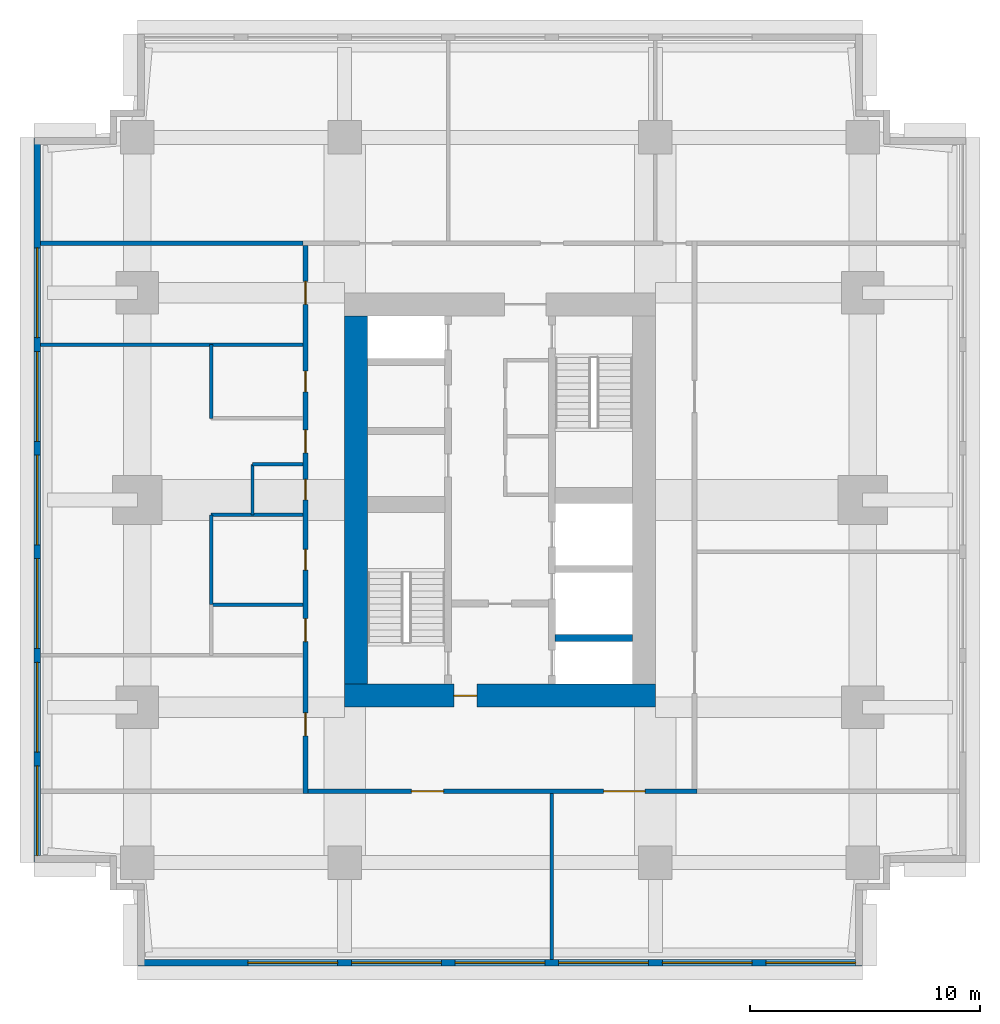
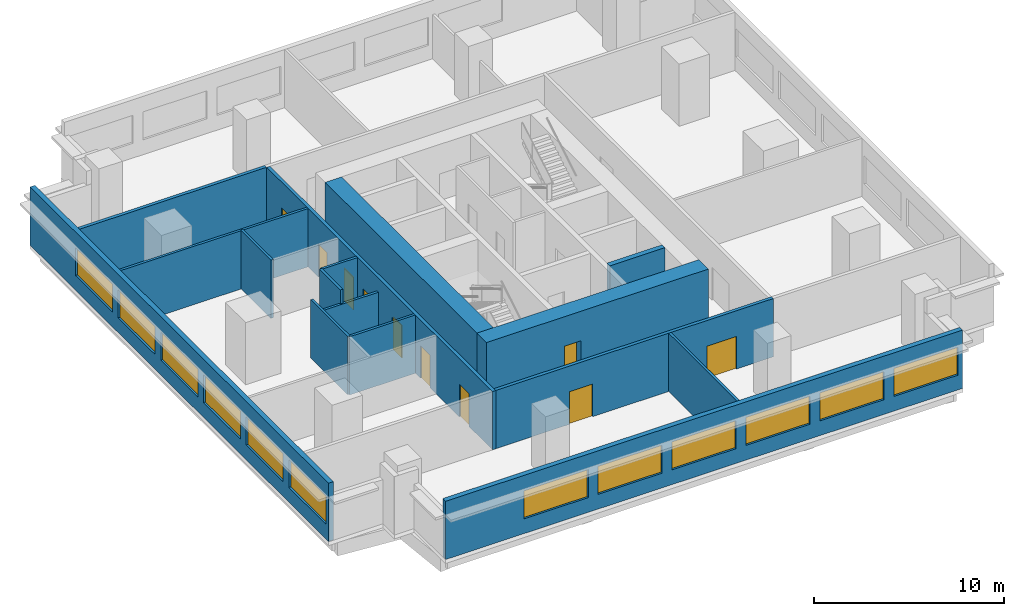
# One storey, part 2 of 5: 16 walls, 12 windows, 10 doors, 22 openings.
"""IFC4 building model written with IfcOpenShell, lengths in metres."""

import ifcopenshell
import ifcopenshell.guid

model = None  # the IFC model being written
_history = None  # IfcOwnerHistory: only IFC2X3 demands one
_inside = {}  # id of a spatial element -> (the spatial element, [elements in it])
_under = {}  # id of a project, library or spatial element -> (it, [spatial elements below it])
_declared = {}  # id of a project -> (the project, [libraries it declares])
_typed = {}  # id of a type object -> (the type object, [elements of that type])
_made_of = {}  # id of a material, layer set ... -> (it, [elements and type objects made of it])


def new_model(schema):
    """Start an empty IFC model of exactly this schema.

    Asked for "IFC4X3", IfcOpenShell would pick the latest addendum, in which some entities
    have other attributes; the version numbers below select the first issue.
    IFC2X3 requires an IfcOwnerHistory on every rooted entity: one is made here for all.
    """
    global model, _history
    if schema == "IFC4X3":
        model = ifcopenshell.file(schema_version=(4, 3, 0, 0))
    else:
        model = ifcopenshell.file(schema=schema)
    _inside.clear()
    _under.clear()
    _declared.clear()
    _typed.clear()
    _made_of.clear()
    _history = None
    if model.schema == "IFC2X3":
        org = make("IfcOrganization", Name="unknown")
        user = make(
            "IfcPersonAndOrganization",
            ThePerson=make("IfcPerson", FamilyName="unknown"),
            TheOrganization=org,
        )
        app = make(
            "IfcApplication",
            ApplicationDeveloper=org,
            Version="unknown",
            ApplicationFullName="unknown",
            ApplicationIdentifier="unknown",
        )
        _history = make(
            "IfcOwnerHistory",
            OwningUser=user,
            OwningApplication=app,
            ChangeAction="ADDED",
            CreationDate=0,
        )
    return model


def make(cls, **values):
    """One entity of the class cls with the attributes given. An attribute that is None is left unset."""
    return model.create_entity(
        cls, **{name: value for name, value in values.items() if value is not None}
    )


def rooted(cls, **values):
    """An entity with a GlobalId (a new one), such as an element, a storey or a relation."""
    return make(cls, GlobalId=ifcopenshell.guid.new(), OwnerHistory=_history, **values)


def si_unit(unit_type, name, prefix=None):
    """IfcSIUnit, for example si_unit("LENGTHUNIT", "METRE", prefix="MILLI")."""
    return make("IfcSIUnit", UnitType=unit_type, Prefix=prefix, Name=name)


def assignment(units):
    """IfcUnitAssignment: the units of a project."""
    return None if units is None else make("IfcUnitAssignment", Units=units)


def point(xyz):
    """IfcCartesianPoint."""
    return None if xyz is None else make("IfcCartesianPoint", Coordinates=xyz)


def direction(xyz):
    """IfcDirection."""
    return None if xyz is None else make("IfcDirection", DirectionRatios=xyz)


def frame(location, z_axis=None, x_axis=None):
    """IfcAxis2Placement3D, a coordinate frame: its origin and axes. An axis left out is left unset."""
    return make(
        "IfcAxis2Placement3D",
        Location=point(location),
        Axis=direction(z_axis),
        RefDirection=direction(x_axis),
    )


def frame_2d(location, x_axis=None):
    """IfcAxis2Placement2D, a coordinate frame in the plane: its origin and x axis."""
    return make(
        "IfcAxis2Placement2D", Location=point(location), RefDirection=direction(x_axis)
    )


def origin():
    """The frame at (0, 0, 0) with its axes left unset."""
    return frame((0.0, 0.0, 0.0))


def place(relative_to, where):
    """IfcLocalPlacement: puts the frame where relative to a parent placement (None: the world)."""
    return make(
        "IfcLocalPlacement", PlacementRelTo=relative_to, RelativePlacement=where
    )


def context(
    kind, dimensions, precision=None, world=None, true_north=None, identifier=None
):
    """IfcGeometricRepresentationContext, for example the 3D "Model" context."""
    return make(
        "IfcGeometricRepresentationContext",
        ContextIdentifier=identifier,
        ContextType=kind,
        CoordinateSpaceDimension=dimensions,
        Precision=precision,
        WorldCoordinateSystem=world,
        TrueNorth=true_north,
    )


def subcontext(parent, identifier, kind, view, scale=None):
    """IfcGeometricRepresentationSubContext, for example "Body" below "Model"."""
    return make(
        "IfcGeometricRepresentationSubContext",
        ContextIdentifier=identifier,
        ContextType=kind,
        ParentContext=parent,
        TargetScale=scale,
        TargetView=view,
    )


def project(units=None, contexts=None):
    """IfcProject with its units and contexts."""
    return rooted(
        "IfcProject",
        Name="project",
        RepresentationContexts=contexts,
        UnitsInContext=assignment(units),
    )


def spatial(cls, under=None, at=None, **own):
    """A site, building, storey or space (cls), placed at a placement, below another one or the project."""
    s = rooted(cls, ObjectPlacement=at, **own)
    if under is not None:
        _under.setdefault(under.id(), (under, []))[1].append(s)
    return s


def profile(cls, at=None, kind="AREA", **sizes):
    """A parametric profile (cls). Its sizes go by their IFC names, for example OverallWidth=200.0."""
    return make(cls, ProfileType=kind, Position=at, **sizes)


def rectangle(**sizes):
    """IfcRectangleProfileDef."""
    return profile("IfcRectangleProfileDef", **sizes)


def extrude(swept, where, along, depth):
    """IfcExtrudedAreaSolid: the profile swept, set in the frame where, extruded along a direction by depth."""
    return make(
        "IfcExtrudedAreaSolid",
        SweptArea=swept,
        Position=where,
        ExtrudedDirection=direction(along),
        Depth=depth,
    )


def shape(context_of_items, identifier, shape_type, items):
    """IfcShapeRepresentation: the items that make up one representation, for example the "Body"."""
    return make(
        "IfcShapeRepresentation",
        ContextOfItems=context_of_items,
        RepresentationIdentifier=identifier,
        RepresentationType=shape_type,
        Items=items,
    )


def material(Name=None, Category=None):
    """IfcMaterial."""
    return make("IfcMaterial", Name=Name, Category=Category)


def layer(
    of_material, thickness, ventilated=None, Name=None, Category=None, Priority=None
):
    """IfcMaterialLayer: one layer of a wall or slab, of a material (None: an air gap)."""
    return make(
        "IfcMaterialLayer",
        Material=of_material,
        LayerThickness=thickness,
        IsVentilated=ventilated,
        Name=Name,
        Category=Category,
        Priority=Priority,
    )


def layer_set(layers, Name=None):
    """IfcMaterialLayerSet."""
    return make("IfcMaterialLayerSet", MaterialLayers=layers, LayerSetName=Name)


def made_of(thing, what):
    """Note that an element or type object is made of a material, layer set ...; save() writes the relation."""
    if what is not None:
        _made_of.setdefault(what.id(), (what, []))[1].append(thing)
    return thing


def type_object(cls, material=None, **own):
    """A type object (cls), such as IfcWallType, which elements share."""
    return made_of(rooted(cls, **own), material)


def element(
    cls,
    number,
    at=None,
    inside=None,
    cuts=None,
    type_object=None,
    material=None,
    context=None,
    identifier="Body",
    shape_type=None,
    held_by="IfcProductDefinitionShape",
    body=None,
    shapes=None,
    **own,
):
    """One element of the class cls, such as IfcWall. Its Tag is "e" and its number.

    at: its placement. inside: the storey or other place that contains it. cuts: it is an
    opening in that element (IfcRelVoidsElement). A single representation is given by context,
    identifier, shape_type and body (its items); several are given by shapes. held_by: the class
    of the entity that holds the representations. save() writes the other relations.
    """
    e = rooted(cls, Tag="e%d" % number, ObjectPlacement=at, **own)
    if body is not None:
        shapes = [shape(context, identifier, shape_type, body)]
    if shapes is not None:
        e.Representation = make(held_by, Representations=shapes)
    if inside is not None:
        _inside.setdefault(inside.id(), (inside, []))[1].append(e)
    if cuts is not None:
        rooted(
            "IfcRelVoidsElement", RelatingBuildingElement=cuts, RelatedOpeningElement=e
        )
    if type_object is not None:
        _typed.setdefault(type_object.id(), (type_object, []))[1].append(e)
    return made_of(e, material)


def fill(opening, filler):
    """IfcRelFillsElement: the door or window that sits in an opening."""
    return rooted(
        "IfcRelFillsElement",
        RelatingOpeningElement=opening,
        RelatedBuildingElement=filler,
    )


def aggregate(whole, parts):
    """IfcRelAggregates: a whole, such as a stair, and the parts it consists of."""
    return rooted("IfcRelAggregates", RelatingObject=whole, RelatedObjects=parts)


def save(model, path):
    """Write the relations noted so far, then the file.

    IfcRelAggregates (storeys below a building ...), IfcRelContainedInSpatialStructure (elements
    in a storey), IfcRelDefinesByType, IfcRelAssociatesMaterial and IfcRelDeclares: one each for
    every whole, place, type object, material and project.
    """
    for whole, parts in _under.values():
        aggregate(whole, parts)
    for where, things in _inside.values():
        rooted(
            "IfcRelContainedInSpatialStructure",
            RelatedElements=things,
            RelatingStructure=where,
        )
    for kind, things in _typed.values():
        rooted("IfcRelDefinesByType", RelatedObjects=things, RelatingType=kind)
    for what, things in _made_of.values():
        rooted("IfcRelAssociatesMaterial", RelatedObjects=things, RelatingMaterial=what)
    for by, libraries in _declared.values():
        rooted("IfcRelDeclares", RelatingContext=by, RelatedDefinitions=libraries)
    model.write(path)


model = new_model("IFC4")

# Units and contexts
model_context = context("Model", 3, precision=1e-05, world=origin(), true_north=direction((0.0, 1.0)))
body_context = subcontext(model_context, "Body", "Model", "MODEL_VIEW")
ifc_project = project(units=[si_unit("LENGTHUNIT", "METRE"), si_unit("AREAUNIT", "SQUARE_METRE"), si_unit("VOLUMEUNIT", "CUBIC_METRE"), si_unit("PLANEANGLEUNIT", "RADIAN"), si_unit("MASSUNIT", "GRAM", prefix="KILO")], contexts=[model_context])

# Site, building, storey
site_placement = place(None, origin())
site = spatial("IfcSite", under=ifc_project, at=site_placement, CompositionType="ELEMENT")
building_placement = place(site_placement, origin())
building = spatial("IfcBuilding", under=site, at=building_placement, Name="Namib Vertical Campus", CompositionType="ELEMENT")
storey_placement = place(building_placement, frame((0.0, 0.0, 265.0)))
storey = spatial("IfcBuildingStorey", under=building, at=storey_placement, Name="L62", CompositionType="ELEMENT", Elevation=265.0)

# Wall
ifc_material_1 = material(Name="Concrete C60/75", Category="concrete")
ifc_layer_1 = layer(ifc_material_1, 0.300048828125)
ifc_layer_set_1 = layer_set([ifc_layer_1], Name="Concrete C60/75")
wall_type_1 = type_object("IfcWallType", Name="Core inner wall 300", PredefinedType="SHEAR", material=ifc_layer_set_1)
wall_1_placement = place(storey_placement, frame((22.64990234375, 14.25, 0.0), z_axis=(0.0, 0.0, 1.0), x_axis=(1.0, 0.0, 0.0)))
element("IfcWall", 1, at=wall_1_placement, inside=storey, type_object=wall_type_1, Name="Core inner wall A L62 W5", PredefinedType="SHEAR", context=body_context, shape_type="SweptSolid", body=[
    extrude(rectangle(XDim=3.35009765625, YDim=0.300048828125, at=frame_2d((1.675048828125, 0.0))), origin(), (0.0, 0.0, 1.0), 4.0),
])

# Wall, opening, door
ifc_material_2 = material(Name="Concrete C60/75", Category="concrete")
ifc_layer_2 = layer(ifc_material_2, 1.0)
ifc_layer_set_2 = layer_set([ifc_layer_2], Name="Concrete C60/75")
wall_type_2 = type_object("IfcWallType", Name="Core wall 1000", PredefinedType="SHEAR", material=ifc_layer_set_2)
wall_2_placement = place(storey_placement, frame((13.5, 11.75, 0.0), z_axis=(0.0, 0.0, 1.0), x_axis=(1.0, 0.0, 0.0)))
wall_2 = element("IfcWall", 2, at=wall_2_placement, inside=storey, type_object=wall_type_2, Name="Core wall A L62 1", PredefinedType="SHEAR", context=body_context, shape_type="SweptSolid", body=[
    extrude(rectangle(XDim=13.5, YDim=1.0, at=frame_2d((6.75, 0.0))), origin(), (0.0, 0.0, 1.0), 4.0),
])
opening_1_placement = place(wall_2_placement, frame((4.75, 0.0, 0.0)))
opening_1 = element("IfcOpeningElement", 3, at=opening_1_placement, cuts=wall_2, Name="Opening FD5", PredefinedType="OPENING", context=body_context, shape_type="SweptSolid", body=[
    extrude(rectangle(XDim=1.0, YDim=2.10009765625, at=frame_2d((0.5, 1.050048828125))), frame((0.0, 0.510009765625, 0.0), z_axis=(0.0, -1.0, 0.0), x_axis=(1.0, 0.0, 0.0)), (0.0, 0.0, 1.0), 1.02001953125),
])
ifc_material_3 = material(Name="Steel fire door", Category="steel")
door_type_1 = type_object("IfcDoorType", Name="Fire door 1000x2100 120 min", OperationType="SINGLE_SWING_RIGHT", PredefinedType="DOOR", material=ifc_material_3)
door_1_placement = place(opening_1_placement, origin())
door_1 = element("IfcDoor", 4, at=door_1_placement, inside=storey, type_object=door_type_1, Name="Firefighting lobby door FD5 A L62", OperationType="SINGLE_SWING_LEFT", OverallHeight=2.10009765625, OverallWidth=1.0, PredefinedType="DOOR", context=body_context, shape_type="SweptSolid", body=[
    extrude(rectangle(XDim=1.0, YDim=2.10009765625, at=frame_2d((0.5, 1.050048828125))), frame((0.0, 0.02490234375, 0.0), z_axis=(0.0, -1.0, 0.0), x_axis=(1.0, 0.0, 0.0)), (0.0, 0.0, 1.0), 0.050048828125),
])
fill(opening_1, door_1)

# Wall
wall_3_placement = place(storey_placement, frame((14.0, 28.25, 0.0), z_axis=(0.0, 0.0, 1.0), x_axis=(0.0, -1.0, 0.0)))
element("IfcWall", 5, at=wall_3_placement, inside=storey, type_object=wall_type_2, Name="Core wall A L62 4", PredefinedType="SHEAR", context=body_context, shape_type="SweptSolid", body=[
    extrude(rectangle(XDim=16.0, YDim=1.0, at=frame_2d((8.0, 0.0))), origin(), (0.0, 0.0, 1.0), 4.0),
])

# Wall, openings, doors
ifc_material_4 = material(Name="Concrete masonry", Category="masonry")
ifc_layer_3 = layer(ifc_material_4, 0.199951171875)
ifc_layer_set_3 = layer_set([ifc_layer_3], Name="Corridor wall 200")
wall_type_3 = type_object("IfcWallType", Name="Corridor wall 200", PredefinedType="SOLIDWALL", material=ifc_layer_set_3)
wall_4_placement = place(storey_placement, frame((11.89990234375, 7.60009765625, 0.0), z_axis=(0.0, 0.0, 1.0), x_axis=(1.0, 0.0, 0.0)))
wall_4 = element("IfcWall", 6, at=wall_4_placement, inside=storey, type_object=wall_type_3, Name="Corridor wall A L62 CS", PredefinedType="SOLIDWALL", context=body_context, shape_type="SweptSolid", body=[
    extrude(rectangle(XDim=16.900146484375, YDim=0.199951171875, at=frame_2d((8.4501953125, 0.0))), origin(), (0.0, 0.0, 1.0), 3.75),
])
opening_2_placement = place(wall_4_placement, frame((4.5, 0.0, 0.0)))
opening_2 = element("IfcOpeningElement", 7, at=opening_2_placement, cuts=wall_4, Name="Opening LB1", PredefinedType="OPENING", context=body_context, shape_type="SweptSolid", body=[
    extrude(rectangle(XDim=1.39990234375, YDim=2.10009765625, at=frame_2d((0.699951171875, 1.050048828125))), frame((0.0, 0.10986328125, 0.0), z_axis=(0.0, -1.0, 0.0), x_axis=(1.0, 0.0, 0.0)), (0.0, 0.0, 1.0), 0.219970703125),
])
opening_3_placement = place(wall_4_placement, frame((12.85009765625, 0.0, 0.0)))
opening_3 = element("IfcOpeningElement", 8, at=opening_3_placement, cuts=wall_4, Name="Opening CD2", PredefinedType="OPENING", context=body_context, shape_type="SweptSolid", body=[
    extrude(rectangle(XDim=1.800048828125, YDim=2.10009765625, at=frame_2d((0.89990234375, 1.050048828125))), frame((0.0, 0.10986328125, 0.0), z_axis=(0.0, -1.0, 0.0), x_axis=(1.0, 0.0, 0.0)), (0.0, 0.0, 1.0), 0.219970703125),
])
ifc_material_5 = material(Name="Timber fire door leaf", Category="wood")
door_type_2 = type_object("IfcDoorType", Name="Corridor door double 1800x2100 20 min", OperationType="DOUBLE_DOOR_SINGLE_SWING", PredefinedType="DOOR", material=ifc_material_5)
door_2_placement = place(opening_3_placement, frame((1.800048828125, 0.0, 0.0), z_axis=(0.0, 0.0, 1.0), x_axis=(-1.0, 0.0, 0.0)))
door_2 = element("IfcDoor", 9, at=door_2_placement, inside=storey, type_object=door_type_2, Name="Door CD2 A62-02", OperationType="DOUBLE_DOOR_SINGLE_SWING", OverallHeight=2.10009765625, OverallWidth=1.800048828125, PredefinedType="DOOR", context=body_context, shape_type="SweptSolid", body=[
    extrude(rectangle(XDim=1.800048828125, YDim=2.10009765625, at=frame_2d((0.89990234375, 1.050048828125))), frame((0.0, 0.02490234375, 0.0), z_axis=(0.0, -1.0, 0.0), x_axis=(1.0, 0.0, 0.0)), (0.0, 0.0, 1.0), 0.050048828125),
])
fill(opening_3, door_2)
ifc_material_6 = material(Name="Timber fire door leaf", Category="wood")
door_type_3 = type_object("IfcDoorType", Name="Laboratory door 1400x2100 leaf and a half", OperationType="DOUBLE_DOOR_SINGLE_SWING", PredefinedType="DOOR", material=ifc_material_6)
door_3_placement = place(opening_2_placement, frame((1.39990234375, 0.0, 0.0), z_axis=(0.0, 0.0, 1.0), x_axis=(-1.0, 0.0, 0.0)))
door_3 = element("IfcDoor", 10, at=door_3_placement, inside=storey, type_object=door_type_3, Name="Door LB1 A62-01", OperationType="DOUBLE_DOOR_SINGLE_SWING", OverallHeight=2.10009765625, OverallWidth=1.39990234375, PredefinedType="DOOR", context=body_context, shape_type="SweptSolid", body=[
    extrude(rectangle(XDim=1.39990234375, YDim=2.10009765625, at=frame_2d((0.699951171875, 1.050048828125))), frame((0.0, 0.02490234375, 0.0), z_axis=(0.0, -1.0, 0.0), x_axis=(1.0, 0.0, 0.0)), (0.0, 0.0, 1.0), 0.050048828125),
])
fill(opening_2, door_3)

wall_5_placement = place(storey_placement, frame((11.800048828125, 31.300048828125, 0.0), z_axis=(0.0, 0.0, 1.0), x_axis=(0.0, -1.0, 0.0)))
wall_5 = element("IfcWall", 11, at=wall_5_placement, inside=storey, type_object=wall_type_3, Name="Corridor wall A L62 CW", PredefinedType="SOLIDWALL", context=body_context, shape_type="SweptSolid", body=[
    extrude(rectangle(XDim=23.800048828125, YDim=0.199951171875, at=frame_2d((11.89990234375, 0.0))), origin(), (0.0, 0.0, 1.0), 3.75),
])
opening_4_placement = place(wall_5_placement, frame((20.300048828125, 0.0, 0.0)))
opening_4 = element("IfcOpeningElement", 12, at=opening_4_placement, cuts=wall_5, Name="Opening CD1", PredefinedType="OPENING", context=body_context, shape_type="SweptSolid", body=[
    extrude(rectangle(XDim=1.0, YDim=2.10009765625, at=frame_2d((0.5, 1.050048828125))), frame((0.0, 0.10986328125, 0.0), z_axis=(0.0, -1.0, 0.0), x_axis=(1.0, 0.0, 0.0)), (0.0, 0.0, 1.0), 0.219970703125),
])
opening_5_placement = place(wall_5_placement, frame((16.199951171875, 0.0, 0.0)))
opening_5 = element("IfcOpeningElement", 13, at=opening_5_placement, cuts=wall_5, Name="Opening CD1", PredefinedType="OPENING", context=body_context, shape_type="SweptSolid", body=[
    extrude(rectangle(XDim=1.0, YDim=2.10009765625, at=frame_2d((0.5, 1.050048828125))), frame((0.0, 0.10986328125, 0.0), z_axis=(0.0, -1.0, 0.0), x_axis=(1.0, 0.0, 0.0)), (0.0, 0.0, 1.0), 0.219970703125),
])
opening_6_placement = place(wall_5_placement, frame((13.199951171875, 0.0, 0.0)))
opening_6 = element("IfcOpeningElement", 14, at=opening_6_placement, cuts=wall_5, Name="Opening CD3", PredefinedType="OPENING", context=body_context, shape_type="SweptSolid", body=[
    extrude(rectangle(XDim=0.89990234375, YDim=2.10009765625, at=frame_2d((0.449951171875, 1.050048828125))), frame((0.0, 0.10986328125, 0.0), z_axis=(0.0, -1.0, 0.0), x_axis=(1.0, 0.0, 0.0)), (0.0, 0.0, 1.0), 0.219970703125),
])
opening_7_placement = place(wall_5_placement, frame((10.14990234375, 0.0, 0.0)))
opening_7 = element("IfcOpeningElement", 15, at=opening_7_placement, cuts=wall_5, Name="Opening CD3", PredefinedType="OPENING", context=body_context, shape_type="SweptSolid", body=[
    extrude(rectangle(XDim=0.89990234375, YDim=2.10009765625, at=frame_2d((0.449951171875, 1.050048828125))), frame((0.0, 0.10986328125, 0.0), z_axis=(0.0, -1.0, 0.0), x_axis=(1.0, 0.0, 0.0)), (0.0, 0.0, 1.0), 0.219970703125),
])
opening_8_placement = place(wall_5_placement, frame((5.449951171875, 0.0, 0.0)))
opening_8 = element("IfcOpeningElement", 16, at=opening_8_placement, cuts=wall_5, Name="Opening CD3", PredefinedType="OPENING", context=body_context, shape_type="SweptSolid", body=[
    extrude(rectangle(XDim=0.89990234375, YDim=2.10009765625, at=frame_2d((0.449951171875, 1.050048828125))), frame((0.0, 0.10986328125, 0.0), z_axis=(0.0, -1.0, 0.0), x_axis=(1.0, 0.0, 0.0)), (0.0, 0.0, 1.0), 0.219970703125),
])
opening_9_placement = place(wall_5_placement, frame((8.0, 0.0, 0.0)))
opening_9 = element("IfcOpeningElement", 17, at=opening_9_placement, cuts=wall_5, Name="Opening CD1", PredefinedType="OPENING", context=body_context, shape_type="SweptSolid", body=[
    extrude(rectangle(XDim=1.0, YDim=2.10009765625, at=frame_2d((0.5, 1.050048828125))), frame((0.0, 0.10986328125, 0.0), z_axis=(0.0, -1.0, 0.0), x_axis=(1.0, 0.0, 0.0)), (0.0, 0.0, 1.0), 0.219970703125),
])
opening_10_placement = place(wall_5_placement, frame((1.550048828125, 0.0, 0.0)))
opening_10 = element("IfcOpeningElement", 18, at=opening_10_placement, cuts=wall_5, Name="Opening CD1", PredefinedType="OPENING", context=body_context, shape_type="SweptSolid", body=[
    extrude(rectangle(XDim=1.0, YDim=2.10009765625, at=frame_2d((0.5, 1.050048828125))), frame((0.0, 0.10986328125, 0.0), z_axis=(0.0, -1.0, 0.0), x_axis=(1.0, 0.0, 0.0)), (0.0, 0.0, 1.0), 0.219970703125),
])
ifc_material_7 = material(Name="Timber fire door leaf", Category="wood")
door_type_4 = type_object("IfcDoorType", Name="Corridor door 1000x2100 20 min", OperationType="SINGLE_SWING_LEFT", PredefinedType="DOOR", material=ifc_material_7)
door_4_placement = place(opening_4_placement, frame((1.0, 0.0, 0.0), z_axis=(0.0, 0.0, 1.0), x_axis=(-1.0, 0.0, 0.0)))
door_4 = element("IfcDoor", 19, at=door_4_placement, inside=storey, type_object=door_type_4, Name="Door CD1 A62-08", OperationType="SINGLE_SWING_RIGHT", OverallHeight=2.10009765625, OverallWidth=1.0, PredefinedType="DOOR", context=body_context, shape_type="SweptSolid", body=[
    extrude(rectangle(XDim=1.0, YDim=2.10009765625, at=frame_2d((0.5, 1.050048828125))), frame((0.0, 0.02490234375, 0.0), z_axis=(0.0, -1.0, 0.0), x_axis=(1.0, 0.0, 0.0)), (0.0, 0.0, 1.0), 0.050048828125),
])
fill(opening_4, door_4)
door_5_placement = place(opening_5_placement, frame((1.0, 0.0, 0.0), z_axis=(0.0, 0.0, 1.0), x_axis=(-1.0, 0.0, 0.0)))
door_5 = element("IfcDoor", 20, at=door_5_placement, inside=storey, type_object=door_type_4, Name="Door CD1 A62-09", OperationType="SINGLE_SWING_RIGHT", OverallHeight=2.10009765625, OverallWidth=1.0, PredefinedType="DOOR", context=body_context, shape_type="SweptSolid", body=[
    extrude(rectangle(XDim=1.0, YDim=2.10009765625, at=frame_2d((0.5, 1.050048828125))), frame((0.0, 0.02490234375, 0.0), z_axis=(0.0, -1.0, 0.0), x_axis=(1.0, 0.0, 0.0)), (0.0, 0.0, 1.0), 0.050048828125),
])
fill(opening_5, door_5)
door_6_placement = place(opening_9_placement, frame((1.0, 0.0, 0.0), z_axis=(0.0, 0.0, 1.0), x_axis=(-1.0, 0.0, 0.0)))
door_6 = element("IfcDoor", 21, at=door_6_placement, inside=storey, type_object=door_type_4, Name="Door CD1 A62-13", OperationType="SINGLE_SWING_RIGHT", OverallHeight=2.10009765625, OverallWidth=1.0, PredefinedType="DOOR", context=body_context, shape_type="SweptSolid", body=[
    extrude(rectangle(XDim=1.0, YDim=2.10009765625, at=frame_2d((0.5, 1.050048828125))), frame((0.0, 0.02490234375, 0.0), z_axis=(0.0, -1.0, 0.0), x_axis=(1.0, 0.0, 0.0)), (0.0, 0.0, 1.0), 0.050048828125),
])
fill(opening_9, door_6)
door_7_placement = place(opening_10_placement, frame((1.0, 0.0, 0.0), z_axis=(0.0, 0.0, 1.0), x_axis=(-1.0, 0.0, 0.0)))
door_7 = element("IfcDoor", 22, at=door_7_placement, inside=storey, type_object=door_type_4, Name="Door CD1 A62-14", OperationType="SINGLE_SWING_RIGHT", OverallHeight=2.10009765625, OverallWidth=1.0, PredefinedType="DOOR", context=body_context, shape_type="SweptSolid", body=[
    extrude(rectangle(XDim=1.0, YDim=2.10009765625, at=frame_2d((0.5, 1.050048828125))), frame((0.0, 0.02490234375, 0.0), z_axis=(0.0, -1.0, 0.0), x_axis=(1.0, 0.0, 0.0)), (0.0, 0.0, 1.0), 0.050048828125),
])
fill(opening_10, door_7)
ifc_material_8 = material(Name="Timber fire door leaf", Category="wood")
door_type_5 = type_object("IfcDoorType", Name="Corridor toilet door 900x2100 20 min", OperationType="SINGLE_SWING_LEFT", PredefinedType="DOOR", material=ifc_material_8)
door_8_placement = place(opening_6_placement, frame((0.89990234375, 0.0, 0.0), z_axis=(0.0, 0.0, 1.0), x_axis=(-1.0, 0.0, 0.0)))
door_8 = element("IfcDoor", 23, at=door_8_placement, inside=storey, type_object=door_type_5, Name="Door CD3 A62-10", OperationType="SINGLE_SWING_RIGHT", OverallHeight=2.10009765625, OverallWidth=0.89990234375, PredefinedType="DOOR", context=body_context, shape_type="SweptSolid", body=[
    extrude(rectangle(XDim=0.89990234375, YDim=2.10009765625, at=frame_2d((0.449951171875, 1.050048828125))), frame((0.0, 0.02490234375, 0.0), z_axis=(0.0, -1.0, 0.0), x_axis=(1.0, 0.0, 0.0)), (0.0, 0.0, 1.0), 0.050048828125),
])
fill(opening_6, door_8)
door_9_placement = place(opening_7_placement, frame((0.89990234375, 0.0, 0.0), z_axis=(0.0, 0.0, 1.0), x_axis=(-1.0, 0.0, 0.0)))
door_9 = element("IfcDoor", 24, at=door_9_placement, inside=storey, type_object=door_type_5, Name="Door CD3 A62-11", OperationType="SINGLE_SWING_RIGHT", OverallHeight=2.10009765625, OverallWidth=0.89990234375, PredefinedType="DOOR", context=body_context, shape_type="SweptSolid", body=[
    extrude(rectangle(XDim=0.89990234375, YDim=2.10009765625, at=frame_2d((0.449951171875, 1.050048828125))), frame((0.0, 0.02490234375, 0.0), z_axis=(0.0, -1.0, 0.0), x_axis=(1.0, 0.0, 0.0)), (0.0, 0.0, 1.0), 0.050048828125),
])
fill(opening_7, door_9)
door_10_placement = place(opening_8_placement, frame((0.89990234375, 0.0, 0.0), z_axis=(0.0, 0.0, 1.0), x_axis=(-1.0, 0.0, 0.0)))
door_10 = element("IfcDoor", 25, at=door_10_placement, inside=storey, type_object=door_type_5, Name="Door CD3 A62-12", OperationType="SINGLE_SWING_RIGHT", OverallHeight=2.10009765625, OverallWidth=0.89990234375, PredefinedType="DOOR", context=body_context, shape_type="SweptSolid", body=[
    extrude(rectangle(XDim=0.89990234375, YDim=2.10009765625, at=frame_2d((0.449951171875, 1.050048828125))), frame((0.0, 0.02490234375, 0.0), z_axis=(0.0, -1.0, 0.0), x_axis=(1.0, 0.0, 0.0)), (0.0, 0.0, 1.0), 0.050048828125),
])
fill(opening_8, door_10)

# Wall
wall_6_placement = place(storey_placement, frame((0.300048828125, 31.39990234375, 0.0), z_axis=(0.0, 0.0, 1.0), x_axis=(1.0, 0.0, 0.0)))
element("IfcWall", 26, at=wall_6_placement, inside=storey, type_object=wall_type_3, Name="Partition A L62 BNW", PredefinedType="SOLIDWALL", context=body_context, shape_type="SweptSolid", body=[
    extrude(rectangle(XDim=11.39990234375, YDim=0.199951171875, at=frame_2d((5.699951171875, 0.0))), origin(), (0.0, 0.0, 1.0), 3.75),
])

# Wall, openings, windows
ifc_material_9 = material(Name="Concrete C40/50", Category="concrete")
ifc_layer_4 = layer(ifc_material_9, 0.300048828125)
ifc_layer_set_4 = layer_set([ifc_layer_4], Name="Concrete C40/50")
wall_type_4 = type_object("IfcWallType", Name="External wall 300 board-marked concrete", PredefinedType="STANDARD", material=ifc_layer_set_4)
wall_7_placement = place(storey_placement, frame((4.52001953125, 0.14990234375, 0.0), z_axis=(0.0, 0.0, 1.0), x_axis=(1.0, 0.0, 0.0)))
wall_7 = element("IfcWall", 27, at=wall_7_placement, inside=storey, type_object=wall_type_4, Name="External wall L62 F01", PredefinedType="STANDARD", context=body_context, shape_type="SweptSolid", body=[
    extrude(rectangle(XDim=31.4599609375, YDim=0.300048828125, at=frame_2d((15.72998046875, 0.0))), origin(), (0.0, 0.0, 1.0), 3.75),
])
opening_11_placement = place(wall_7_placement, frame((4.780029296875, 0.0, 0.949951171875)))
opening_11 = element("IfcOpeningElement", 28, at=opening_11_placement, cuts=wall_7, Name="Opening W3", PredefinedType="OPENING", context=body_context, shape_type="SweptSolid", body=[
    extrude(rectangle(XDim=3.89990234375, YDim=1.800048828125, at=frame_2d((1.949951171875, 0.89990234375))), frame((0.0, 0.159912109375, 0.0), z_axis=(0.0, -1.0, 0.0), x_axis=(1.0, 0.0, 0.0)), (0.0, 0.0, 1.0), 0.320068359375),
])
opening_12_placement = place(wall_7_placement, frame((9.280029296875, 0.0, 0.949951171875)))
opening_12 = element("IfcOpeningElement", 29, at=opening_12_placement, cuts=wall_7, Name="Opening W3", PredefinedType="OPENING", context=body_context, shape_type="SweptSolid", body=[
    extrude(rectangle(XDim=3.89990234375, YDim=1.800048828125, at=frame_2d((1.949951171875, 0.89990234375))), frame((0.0, 0.159912109375, 0.0), z_axis=(0.0, -1.0, 0.0), x_axis=(1.0, 0.0, 0.0)), (0.0, 0.0, 1.0), 0.320068359375),
])
opening_13_placement = place(wall_7_placement, frame((13.780029296875, 0.0, 0.949951171875)))
opening_13 = element("IfcOpeningElement", 30, at=opening_13_placement, cuts=wall_7, Name="Opening W3", PredefinedType="OPENING", context=body_context, shape_type="SweptSolid", body=[
    extrude(rectangle(XDim=3.89990234375, YDim=1.800048828125, at=frame_2d((1.949951171875, 0.89990234375))), frame((0.0, 0.159912109375, 0.0), z_axis=(0.0, -1.0, 0.0), x_axis=(1.0, 0.0, 0.0)), (0.0, 0.0, 1.0), 0.320068359375),
])
opening_14_placement = place(wall_7_placement, frame((18.280029296875, 0.0, 0.949951171875)))
opening_14 = element("IfcOpeningElement", 31, at=opening_14_placement, cuts=wall_7, Name="Opening W3", PredefinedType="OPENING", context=body_context, shape_type="SweptSolid", body=[
    extrude(rectangle(XDim=3.89990234375, YDim=1.800048828125, at=frame_2d((1.949951171875, 0.89990234375))), frame((0.0, 0.159912109375, 0.0), z_axis=(0.0, -1.0, 0.0), x_axis=(1.0, 0.0, 0.0)), (0.0, 0.0, 1.0), 0.320068359375),
])
opening_15_placement = place(wall_7_placement, frame((22.780029296875, 0.0, 0.949951171875)))
opening_15 = element("IfcOpeningElement", 32, at=opening_15_placement, cuts=wall_7, Name="Opening W3", PredefinedType="OPENING", context=body_context, shape_type="SweptSolid", body=[
    extrude(rectangle(XDim=3.89990234375, YDim=1.800048828125, at=frame_2d((1.949951171875, 0.89990234375))), frame((0.0, 0.159912109375, 0.0), z_axis=(0.0, -1.0, 0.0), x_axis=(1.0, 0.0, 0.0)), (0.0, 0.0, 1.0), 0.320068359375),
])
opening_16_placement = place(wall_7_placement, frame((27.280029296875, 0.0, 0.949951171875)))
opening_16 = element("IfcOpeningElement", 33, at=opening_16_placement, cuts=wall_7, Name="Opening W3", PredefinedType="OPENING", context=body_context, shape_type="SweptSolid", body=[
    extrude(rectangle(XDim=3.89990234375, YDim=1.800048828125, at=frame_2d((1.949951171875, 0.89990234375))), frame((0.0, 0.159912109375, 0.0), z_axis=(0.0, -1.0, 0.0), x_axis=(1.0, 0.0, 0.0)), (0.0, 0.0, 1.0), 0.320068359375),
])
ifc_material_10 = material(Name="Dark tinted glass in black aluminium frame", Category="aluminium")
window_type = type_object("IfcWindowType", Name="Ribbon window 3900x1800", PartitioningType="SINGLE_PANEL", PredefinedType="WINDOW", material=ifc_material_10)
window_1_placement = place(opening_11_placement, origin())
window_1 = element("IfcWindow", 34, at=window_1_placement, inside=storey, type_object=window_type, Name="Window W3 L62 F01-2", OverallHeight=1.800048828125, OverallWidth=3.89990234375, PartitioningType="SINGLE_PANEL", PredefinedType="WINDOW", context=body_context, shape_type="SweptSolid", body=[
    extrude(rectangle(XDim=3.89990234375, YDim=1.800048828125, at=frame_2d((1.949951171875, 0.89990234375))), frame((0.0, 0.030029296875, 0.0), z_axis=(0.0, -1.0, 0.0), x_axis=(1.0, 0.0, 0.0)), (0.0, 0.0, 1.0), 0.06005859375),
])
fill(opening_11, window_1)
window_2_placement = place(opening_12_placement, origin())
window_2 = element("IfcWindow", 35, at=window_2_placement, inside=storey, type_object=window_type, Name="Window W3 L62 F01-3", OverallHeight=1.800048828125, OverallWidth=3.89990234375, PartitioningType="SINGLE_PANEL", PredefinedType="WINDOW", context=body_context, shape_type="SweptSolid", body=[
    extrude(rectangle(XDim=3.89990234375, YDim=1.800048828125, at=frame_2d((1.949951171875, 0.89990234375))), frame((0.0, 0.030029296875, 0.0), z_axis=(0.0, -1.0, 0.0), x_axis=(1.0, 0.0, 0.0)), (0.0, 0.0, 1.0), 0.06005859375),
])
fill(opening_12, window_2)
window_3_placement = place(opening_13_placement, origin())
window_3 = element("IfcWindow", 36, at=window_3_placement, inside=storey, type_object=window_type, Name="Window W3 L62 F01-4", OverallHeight=1.800048828125, OverallWidth=3.89990234375, PartitioningType="SINGLE_PANEL", PredefinedType="WINDOW", context=body_context, shape_type="SweptSolid", body=[
    extrude(rectangle(XDim=3.89990234375, YDim=1.800048828125, at=frame_2d((1.949951171875, 0.89990234375))), frame((0.0, 0.030029296875, 0.0), z_axis=(0.0, -1.0, 0.0), x_axis=(1.0, 0.0, 0.0)), (0.0, 0.0, 1.0), 0.06005859375),
])
fill(opening_13, window_3)
window_4_placement = place(opening_14_placement, origin())
window_4 = element("IfcWindow", 37, at=window_4_placement, inside=storey, type_object=window_type, Name="Window W3 L62 F01-5", OverallHeight=1.800048828125, OverallWidth=3.89990234375, PartitioningType="SINGLE_PANEL", PredefinedType="WINDOW", context=body_context, shape_type="SweptSolid", body=[
    extrude(rectangle(XDim=3.89990234375, YDim=1.800048828125, at=frame_2d((1.949951171875, 0.89990234375))), frame((0.0, 0.030029296875, 0.0), z_axis=(0.0, -1.0, 0.0), x_axis=(1.0, 0.0, 0.0)), (0.0, 0.0, 1.0), 0.06005859375),
])
fill(opening_14, window_4)
window_5_placement = place(opening_15_placement, origin())
window_5 = element("IfcWindow", 38, at=window_5_placement, inside=storey, type_object=window_type, Name="Window W3 L62 F01-6", OverallHeight=1.800048828125, OverallWidth=3.89990234375, PartitioningType="SINGLE_PANEL", PredefinedType="WINDOW", context=body_context, shape_type="SweptSolid", body=[
    extrude(rectangle(XDim=3.89990234375, YDim=1.800048828125, at=frame_2d((1.949951171875, 0.89990234375))), frame((0.0, 0.030029296875, 0.0), z_axis=(0.0, -1.0, 0.0), x_axis=(1.0, 0.0, 0.0)), (0.0, 0.0, 1.0), 0.06005859375),
])
fill(opening_15, window_5)
window_6_placement = place(opening_16_placement, origin())
window_6 = element("IfcWindow", 39, at=window_6_placement, inside=storey, type_object=window_type, Name="Window W3 L62 F01-7", OverallHeight=1.800048828125, OverallWidth=3.89990234375, PartitioningType="SINGLE_PANEL", PredefinedType="WINDOW", context=body_context, shape_type="SweptSolid", body=[
    extrude(rectangle(XDim=3.89990234375, YDim=1.800048828125, at=frame_2d((1.949951171875, 0.89990234375))), frame((0.0, 0.030029296875, 0.0), z_axis=(0.0, -1.0, 0.0), x_axis=(1.0, 0.0, 0.0)), (0.0, 0.0, 1.0), 0.06005859375),
])
fill(opening_16, window_6)

wall_8_placement = place(storey_placement, frame((0.14990234375, 35.97998046875, 0.0), z_axis=(0.0, 0.0, 1.0), x_axis=(0.0, -1.0, 0.0)))
wall_8 = element("IfcWall", 40, at=wall_8_placement, inside=storey, type_object=wall_type_4, Name="External wall L62 F16", PredefinedType="STANDARD", context=body_context, shape_type="SweptSolid", body=[
    extrude(rectangle(XDim=31.4599609375, YDim=0.300048828125, at=frame_2d((15.72998046875, 0.0))), origin(), (0.0, 0.0, 1.0), 3.75),
])
opening_17_placement = place(wall_8_placement, frame((27.280029296875, 0.0, 0.949951171875)))
opening_17 = element("IfcOpeningElement", 41, at=opening_17_placement, cuts=wall_8, Name="Opening W3", PredefinedType="OPENING", context=body_context, shape_type="SweptSolid", body=[
    extrude(rectangle(XDim=3.89990234375, YDim=1.800048828125, at=frame_2d((1.949951171875, 0.89990234375))), frame((0.0, 0.159912109375, 0.0), z_axis=(0.0, -1.0, 0.0), x_axis=(1.0, 0.0, 0.0)), (0.0, 0.0, 1.0), 0.320068359375),
])
opening_18_placement = place(wall_8_placement, frame((22.780029296875, 0.0, 0.949951171875)))
opening_18 = element("IfcOpeningElement", 42, at=opening_18_placement, cuts=wall_8, Name="Opening W3", PredefinedType="OPENING", context=body_context, shape_type="SweptSolid", body=[
    extrude(rectangle(XDim=3.89990234375, YDim=1.800048828125, at=frame_2d((1.949951171875, 0.89990234375))), frame((0.0, 0.159912109375, 0.0), z_axis=(0.0, -1.0, 0.0), x_axis=(1.0, 0.0, 0.0)), (0.0, 0.0, 1.0), 0.320068359375),
])
opening_19_placement = place(wall_8_placement, frame((18.280029296875, 0.0, 0.949951171875)))
opening_19 = element("IfcOpeningElement", 43, at=opening_19_placement, cuts=wall_8, Name="Opening W3", PredefinedType="OPENING", context=body_context, shape_type="SweptSolid", body=[
    extrude(rectangle(XDim=3.89990234375, YDim=1.800048828125, at=frame_2d((1.949951171875, 0.89990234375))), frame((0.0, 0.159912109375, 0.0), z_axis=(0.0, -1.0, 0.0), x_axis=(1.0, 0.0, 0.0)), (0.0, 0.0, 1.0), 0.320068359375),
])
opening_20_placement = place(wall_8_placement, frame((13.780029296875, 0.0, 0.949951171875)))
opening_20 = element("IfcOpeningElement", 44, at=opening_20_placement, cuts=wall_8, Name="Opening W3", PredefinedType="OPENING", context=body_context, shape_type="SweptSolid", body=[
    extrude(rectangle(XDim=3.89990234375, YDim=1.800048828125, at=frame_2d((1.949951171875, 0.89990234375))), frame((0.0, 0.159912109375, 0.0), z_axis=(0.0, -1.0, 0.0), x_axis=(1.0, 0.0, 0.0)), (0.0, 0.0, 1.0), 0.320068359375),
])
opening_21_placement = place(wall_8_placement, frame((9.280029296875, 0.0, 0.949951171875)))
opening_21 = element("IfcOpeningElement", 45, at=opening_21_placement, cuts=wall_8, Name="Opening W3", PredefinedType="OPENING", context=body_context, shape_type="SweptSolid", body=[
    extrude(rectangle(XDim=3.89990234375, YDim=1.800048828125, at=frame_2d((1.949951171875, 0.89990234375))), frame((0.0, 0.159912109375, 0.0), z_axis=(0.0, -1.0, 0.0), x_axis=(1.0, 0.0, 0.0)), (0.0, 0.0, 1.0), 0.320068359375),
])
opening_22_placement = place(wall_8_placement, frame((4.780029296875, 0.0, 0.949951171875)))
opening_22 = element("IfcOpeningElement", 46, at=opening_22_placement, cuts=wall_8, Name="Opening W3", PredefinedType="OPENING", context=body_context, shape_type="SweptSolid", body=[
    extrude(rectangle(XDim=3.89990234375, YDim=1.800048828125, at=frame_2d((1.949951171875, 0.89990234375))), frame((0.0, 0.159912109375, 0.0), z_axis=(0.0, -1.0, 0.0), x_axis=(1.0, 0.0, 0.0)), (0.0, 0.0, 1.0), 0.320068359375),
])
window_7_placement = place(opening_17_placement, origin())
window_7 = element("IfcWindow", 47, at=window_7_placement, inside=storey, type_object=window_type, Name="Window W3 L62 F16-1", OverallHeight=1.800048828125, OverallWidth=3.89990234375, PartitioningType="SINGLE_PANEL", PredefinedType="WINDOW", context=body_context, shape_type="SweptSolid", body=[
    extrude(rectangle(XDim=3.89990234375, YDim=1.800048828125, at=frame_2d((1.949951171875, 0.89990234375))), frame((0.0, 0.030029296875, 0.0), z_axis=(0.0, -1.0, 0.0), x_axis=(1.0, 0.0, 0.0)), (0.0, 0.0, 1.0), 0.06005859375),
])
fill(opening_17, window_7)
window_8_placement = place(opening_18_placement, origin())
window_8 = element("IfcWindow", 48, at=window_8_placement, inside=storey, type_object=window_type, Name="Window W3 L62 F16-2", OverallHeight=1.800048828125, OverallWidth=3.89990234375, PartitioningType="SINGLE_PANEL", PredefinedType="WINDOW", context=body_context, shape_type="SweptSolid", body=[
    extrude(rectangle(XDim=3.89990234375, YDim=1.800048828125, at=frame_2d((1.949951171875, 0.89990234375))), frame((0.0, 0.030029296875, 0.0), z_axis=(0.0, -1.0, 0.0), x_axis=(1.0, 0.0, 0.0)), (0.0, 0.0, 1.0), 0.06005859375),
])
fill(opening_18, window_8)
window_9_placement = place(opening_19_placement, origin())
window_9 = element("IfcWindow", 49, at=window_9_placement, inside=storey, type_object=window_type, Name="Window W3 L62 F16-3", OverallHeight=1.800048828125, OverallWidth=3.89990234375, PartitioningType="SINGLE_PANEL", PredefinedType="WINDOW", context=body_context, shape_type="SweptSolid", body=[
    extrude(rectangle(XDim=3.89990234375, YDim=1.800048828125, at=frame_2d((1.949951171875, 0.89990234375))), frame((0.0, 0.030029296875, 0.0), z_axis=(0.0, -1.0, 0.0), x_axis=(1.0, 0.0, 0.0)), (0.0, 0.0, 1.0), 0.06005859375),
])
fill(opening_19, window_9)
window_10_placement = place(opening_20_placement, origin())
window_10 = element("IfcWindow", 50, at=window_10_placement, inside=storey, type_object=window_type, Name="Window W3 L62 F16-4", OverallHeight=1.800048828125, OverallWidth=3.89990234375, PartitioningType="SINGLE_PANEL", PredefinedType="WINDOW", context=body_context, shape_type="SweptSolid", body=[
    extrude(rectangle(XDim=3.89990234375, YDim=1.800048828125, at=frame_2d((1.949951171875, 0.89990234375))), frame((0.0, 0.030029296875, 0.0), z_axis=(0.0, -1.0, 0.0), x_axis=(1.0, 0.0, 0.0)), (0.0, 0.0, 1.0), 0.06005859375),
])
fill(opening_20, window_10)
window_11_placement = place(opening_21_placement, origin())
window_11 = element("IfcWindow", 51, at=window_11_placement, inside=storey, type_object=window_type, Name="Window W3 L62 F16-5", OverallHeight=1.800048828125, OverallWidth=3.89990234375, PartitioningType="SINGLE_PANEL", PredefinedType="WINDOW", context=body_context, shape_type="SweptSolid", body=[
    extrude(rectangle(XDim=3.89990234375, YDim=1.800048828125, at=frame_2d((1.949951171875, 0.89990234375))), frame((0.0, 0.030029296875, 0.0), z_axis=(0.0, -1.0, 0.0), x_axis=(1.0, 0.0, 0.0)), (0.0, 0.0, 1.0), 0.06005859375),
])
fill(opening_21, window_11)
window_12_placement = place(opening_22_placement, origin())
window_12 = element("IfcWindow", 52, at=window_12_placement, inside=storey, type_object=window_type, Name="Window W3 L62 F16-6", OverallHeight=1.800048828125, OverallWidth=3.89990234375, PartitioningType="SINGLE_PANEL", PredefinedType="WINDOW", context=body_context, shape_type="SweptSolid", body=[
    extrude(rectangle(XDim=3.89990234375, YDim=1.800048828125, at=frame_2d((1.949951171875, 0.89990234375))), frame((0.0, 0.030029296875, 0.0), z_axis=(0.0, -1.0, 0.0), x_axis=(1.0, 0.0, 0.0)), (0.0, 0.0, 1.0), 0.06005859375),
])
fill(opening_22, window_12)

# Walls
ifc_material_11 = material(Name="Gypsum board on steel studs", Category="steel")
ifc_layer_5 = layer(ifc_material_11, 0.14990234375)
ifc_layer_set_5 = layer_set([ifc_layer_5], Name="Gypsum board on steel studs")
wall_type_5 = type_object("IfcWallType", Name="Partition 150", PredefinedType="PARTITIONING", material=ifc_layer_set_5)
wall_9_placement = place(storey_placement, frame((22.5, 0.300048828125, 0.0), z_axis=(0.0, 0.0, 1.0), x_axis=(0.0, 1.0, 0.0)))
element("IfcWall", 53, at=wall_9_placement, inside=storey, type_object=wall_type_5, Name="Partition A L62 PS1", PredefinedType="PARTITIONING", context=body_context, shape_type="SweptSolid", body=[
    extrude(rectangle(XDim=7.199951171875, YDim=0.14990234375, at=frame_2d((3.60009765625, 0.0))), origin(), (0.0, 0.0, 1.0), 3.75),
])
wall_10_placement = place(storey_placement, frame((0.300048828125, 27.0, 0.0), z_axis=(0.0, 0.0, 1.0), x_axis=(1.0, 0.0, 0.0)))
element("IfcWall", 54, at=wall_10_placement, inside=storey, type_object=wall_type_5, Name="Partition A L62 PW2", PredefinedType="PARTITIONING", context=body_context, shape_type="SweptSolid", body=[
    extrude(rectangle(XDim=11.39990234375, YDim=0.14990234375, at=frame_2d((5.699951171875, 0.0))), origin(), (0.0, 0.0, 1.0), 3.75),
])
wall_11_placement = place(storey_placement, frame((11.699951171875, 15.699951171875, 0.0), z_axis=(0.0, 0.0, 1.0), x_axis=(-1.0, 0.0, 0.0)))
element("IfcWall", 55, at=wall_11_placement, inside=storey, type_object=wall_type_5, Name="Partition A L62 WR1", PredefinedType="PARTITIONING", context=body_context, shape_type="SweptSolid", body=[
    extrude(rectangle(XDim=4.0, YDim=0.14990234375, at=frame_2d((2.0, 0.0))), origin(), (0.0, 0.0, 1.0), 3.75),
])
wall_12_placement = place(storey_placement, frame((11.699951171875, 19.60009765625, 0.0), z_axis=(0.0, 0.0, 1.0), x_axis=(-1.0, 0.0, 0.0)))
element("IfcWall", 56, at=wall_12_placement, inside=storey, type_object=wall_type_5, Name="Partition A L62 WR2", PredefinedType="PARTITIONING", context=body_context, shape_type="SweptSolid", body=[
    extrude(rectangle(XDim=4.0, YDim=0.14990234375, at=frame_2d((2.0, 0.0))), origin(), (0.0, 0.0, 1.0), 2.85009765625),
])
wall_13_placement = place(storey_placement, frame((11.699951171875, 21.800048828125, 0.0), z_axis=(0.0, 0.0, 1.0), x_axis=(-1.0, 0.0, 0.0)))
element("IfcWall", 57, at=wall_13_placement, inside=storey, type_object=wall_type_5, Name="Partition A L62 WR3", PredefinedType="PARTITIONING", context=body_context, shape_type="SweptSolid", body=[
    extrude(rectangle(XDim=2.199951171875, YDim=0.14990234375, at=frame_2d((1.10009765625, 0.0))), origin(), (0.0, 0.0, 1.0), 3.75),
])
wall_14_placement = place(storey_placement, frame((7.699951171875, 15.699951171875, 0.0), z_axis=(0.0, 0.0, 1.0), x_axis=(0.0, 1.0, 0.0)))
element("IfcWall", 58, at=wall_14_placement, inside=storey, type_object=wall_type_5, Name="Partition A L62 WB2", PredefinedType="PARTITIONING", context=body_context, shape_type="SweptSolid", body=[
    extrude(rectangle(XDim=3.900146484375, YDim=0.14990234375, at=frame_2d((1.9501953125, 0.0))), origin(), (0.0, 0.0, 1.0), 3.75),
])
wall_15_placement = place(storey_placement, frame((9.5, 19.60009765625, 0.0), z_axis=(0.0, 0.0, 1.0), x_axis=(0.0, 1.0, 0.0)))
element("IfcWall", 59, at=wall_15_placement, inside=storey, type_object=wall_type_5, Name="Partition A L62 WB3", PredefinedType="PARTITIONING", context=body_context, shape_type="SweptSolid", body=[
    extrude(rectangle(XDim=2.199951171875, YDim=0.14990234375, at=frame_2d((1.10009765625, 0.0))), origin(), (0.0, 0.0, 1.0), 3.75),
])
wall_16_placement = place(storey_placement, frame((7.699951171875, 23.800048828125, 0.0), z_axis=(0.0, 0.0, 1.0), x_axis=(0.0, 1.0, 0.0)))
element("IfcWall", 60, at=wall_16_placement, inside=storey, type_object=wall_type_5, Name="Partition A L62 WB4", PredefinedType="PARTITIONING", context=body_context, shape_type="SweptSolid", body=[
    extrude(rectangle(XDim=3.199951171875, YDim=0.14990234375, at=frame_2d((1.60009765625, 0.0))), origin(), (0.0, 0.0, 1.0), 3.75),
])

save(model, "model.ifc")
